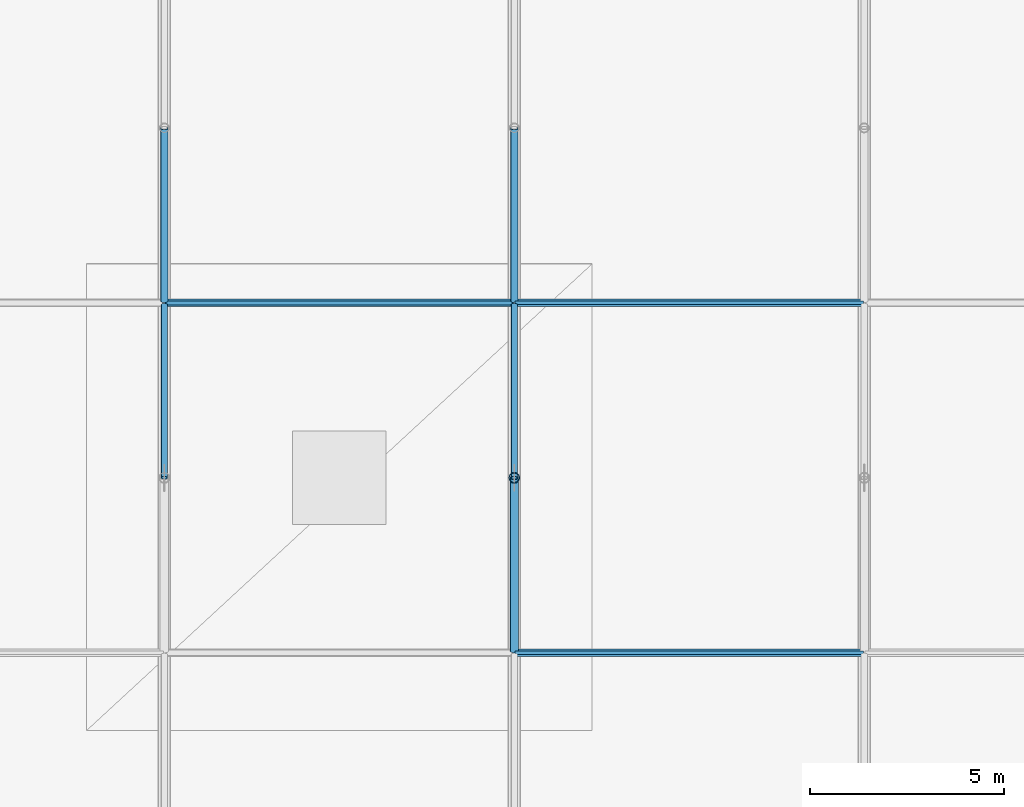
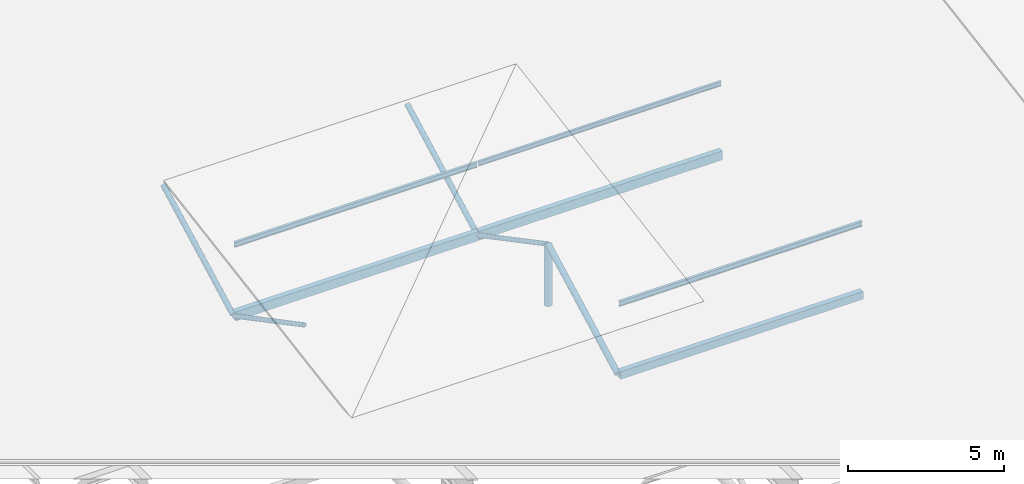
# One storey, part 66 of 196: 12 members.
"""IFC4 building model written with IfcOpenShell, lengths in metres."""

from ifc_helpers import new_model, si_unit, direction, frame, origin, origin_2d, place, context, subcontext, project, spatial, hollow_rectangle, hollow_circle, i_section, extrude, material, material_profile, profile_set, type_object, element, save


model = new_model("IFC4")

# Units and contexts
model_context = context("Model", 3, precision=1e-05, world=origin(), true_north=direction((0.0, 1.0)))
body_context = subcontext(model_context, "Body", "Model", "MODEL_VIEW")
ifc_project = project(units=[si_unit("LENGTHUNIT", "METRE"), si_unit("AREAUNIT", "SQUARE_METRE"), si_unit("VOLUMEUNIT", "CUBIC_METRE"), si_unit("PLANEANGLEUNIT", "RADIAN"), si_unit("MASSUNIT", "GRAM", prefix="KILO")], contexts=[model_context])

# Site, building, storey
site_placement = place(None, origin())
site = spatial("IfcSite", under=ifc_project, at=site_placement, CompositionType="ELEMENT")
building_placement = place(site_placement, origin())
building = spatial("IfcBuilding", under=site, at=building_placement, Name="Barlavento Convention Centre", CompositionType="ELEMENT")
storey_placement = place(building_placement, frame((0.0, 0.0, 18.0)))
storey = spatial("IfcBuildingStorey", under=building, at=storey_placement, Name="L03", CompositionType="ELEMENT", Elevation=18.0)

# Members
ifc_material = material(Name="Steel S355", Category="steel")
ifc_material_profile_1 = material_profile(ifc_material, hollow_rectangle(XDim=0.199951171875, YDim=0.300048828125, WallThickness=0.012451171875, at=origin_2d()), Name="RHS 300x200x12.5")
ifc_profile_set_1 = profile_set([ifc_material_profile_1], Name="Steel S355")
member_type_1 = type_object("IfcMemberType", Name="STR-MEM-COL-RHS300", PredefinedType="COLLAR", material=ifc_profile_set_1)
member_1_placement = place(storey_placement, frame((27.02001953125, 99.0, -3.199951171875), z_axis=(1.0, 0.0, 0.0), x_axis=(0.0, 1.0, 0.0)))
element("IfcMember", 1, at=member_1_placement, inside=storey, type_object=member_type_1, Name="Exhibition space frame transverse chord", PredefinedType="COLLAR", context=body_context, shape_type="SweptSolid", body=[
    extrude(hollow_rectangle(XDim=0.199951171875, YDim=0.300048828125, WallThickness=0.012451171875, at=origin_2d()), origin(), (0.0, 0.0, 1.0), 8.9599609375),
])
ifc_material_profile_2 = material_profile(ifc_material, hollow_rectangle(XDim=0.199951171875, YDim=0.35009765625, WallThickness=0.012451171875, at=origin_2d()), Name="RHS 350x200x12.5")
ifc_profile_set_2 = profile_set([ifc_material_profile_2], Name="Steel S355")
member_type_2 = type_object("IfcMemberType", Name="STR-MEM-COL-RHS350", PredefinedType="COLLAR", material=ifc_profile_set_2)
for number, where, z_axis, x_axis, name in (
    (2, (18.02001953125, 108.0, -3.199951171875), (1.0, 0.0, 0.0), (0.0, 1.0, 0.0), "Exhibition space frame transverse chord"),
    (3, (27.02001953125, 108.0, -3.199951171875), (1.0, 0.0, 0.0), (0.0, 1.0, 0.0), "Exhibition space frame transverse chord"),
):
    element("IfcMember", number, at=place(storey_placement, frame(where, z_axis=z_axis, x_axis=x_axis)), inside=storey, type_object=member_type_2, Name=name, PredefinedType="COLLAR", context=body_context, shape_type="SweptSolid", body=[
        extrude(hollow_rectangle(XDim=0.199951171875, YDim=0.35009765625, WallThickness=0.012451171875, at=origin_2d()), origin(), (0.0, 0.0, 1.0), 8.9599609375),
    ])
ifc_material_profile_3 = material_profile(ifc_material, hollow_circle(Radius=0.084228515625, WallThickness=0.010009765625, at=origin_2d()), Name="CHS 168.3x10.0")
ifc_profile_set_3 = profile_set([ifc_material_profile_3], Name="Steel S355")
member_type_3 = type_object("IfcMemberType", Name="STR-MEM-DIAG-CHS168", PredefinedType="POST", material=ifc_profile_set_3)
member_2_placement = place(storey_placement, frame((18.0, 103.5, -0.84912109375), z_axis=(0.0, 0.884200566707, -0.467107437144), x_axis=(-1.0, 0.0, 0.0)))
element("IfcMember", 4, at=member_2_placement, inside=storey, type_object=member_type_3, Name="Exhibition space frame web diagonal", PredefinedType="POST", context=body_context, shape_type="SweptSolid", body=[
    extrude(hollow_circle(Radius=0.084228515625, WallThickness=0.010009765625, at=origin_2d()), origin(), (0.0, 0.0, 1.0), 5.03271484375),
])
member_3_placement = place(storey_placement, frame((27.0, 103.5, -0.844970703125), z_axis=(0.0, 0.883859857229, -0.467751806816), x_axis=(-1.0, 0.0, 0.0)))
element("IfcMember", 5, at=member_3_placement, inside=storey, type_object=member_type_3, Name="Exhibition space frame web diagonal", PredefinedType="POST", context=body_context, shape_type="SweptSolid", body=[
    extrude(hollow_circle(Radius=0.084228515625, WallThickness=0.010009765625, at=origin_2d()), origin(), (0.0, 0.0, 1.0), 5.03466796875),
])
ifc_material_profile_4 = material_profile(ifc_material, hollow_circle(Radius=0.096923828125, WallThickness=0.010009765625, at=origin_2d()), Name="CHS 193.7x10.0")
ifc_profile_set_4 = profile_set([ifc_material_profile_4], Name="Steel S355")
member_type_4 = type_object("IfcMemberType", Name="STR-MEM-DIAG-CHS193", PredefinedType="RAFTER", material=ifc_profile_set_4)
member_4_placement = place(storey_placement, frame((18.0, 108.050048828125, -3.199951171875), z_axis=(0.0, 0.884200566707, 0.467107437144), x_axis=(-1.0, 0.0, 0.0)))
element("IfcMember", 6, at=member_4_placement, inside=storey, type_object=member_type_4, Name="Exhibition space frame web diagonal", PredefinedType="RAFTER", context=body_context, shape_type="SweptSolid", body=[
    extrude(hollow_circle(Radius=0.096923828125, WallThickness=0.010009765625, at=origin_2d()), origin(), (0.0, 0.0, 1.0), 5.03271484375),
])
member_5_placement = place(storey_placement, frame((27.0, 108.050048828125, -3.199951171875), z_axis=(0.0, 0.883859857229, 0.467751806816), x_axis=(-1.0, 0.0, 0.0)))
element("IfcMember", 7, at=member_5_placement, inside=storey, type_object=member_type_4, Name="Exhibition space frame web diagonal", PredefinedType="RAFTER", context=body_context, shape_type="SweptSolid", body=[
    extrude(hollow_circle(Radius=0.096923828125, WallThickness=0.010009765625, at=origin_2d()), origin(), (0.0, 0.0, 1.0), 5.03466796875),
])
ifc_material_profile_5 = material_profile(ifc_material, hollow_circle(Radius=0.109619140625, WallThickness=0.012451171875, at=origin_2d()), Name="CHS 219.1x12.5")
ifc_profile_set_5 = profile_set([ifc_material_profile_5], Name="Steel S355")
member_type_5 = type_object("IfcMemberType", Name="STR-MEM-DIAG-CHS219", PredefinedType="RAFTER", material=ifc_profile_set_5)
member_6_placement = place(storey_placement, frame((27.0, 99.050048828125, -3.199951171875), z_axis=(0.0, 0.883859857229, 0.467751806816), x_axis=(-1.0, 0.0, 0.0)))
element("IfcMember", 8, at=member_6_placement, inside=storey, type_object=member_type_5, Name="Exhibition space frame web diagonal", PredefinedType="RAFTER", context=body_context, shape_type="SweptSolid", body=[
    extrude(hollow_circle(Radius=0.109619140625, WallThickness=0.012451171875, at=origin_2d()), origin(), (0.0, 0.0, 1.0), 5.03466796875),
])
ifc_material_profile_6 = material_profile(ifc_material, i_section(OverallWidth=0.091064453125, OverallDepth=0.179931640625, WebThickness=0.00537109375, FlangeThickness=0.008056640625, FilletRadius=0.009033203125, at=origin_2d()), Name="IPE 180")
ifc_profile_set_6 = profile_set([ifc_material_profile_6], Name="Steel S355")
member_type_6 = type_object("IfcMemberType", Name="STR-MEM-PUR-IPE180", PredefinedType="PURLIN", material=ifc_profile_set_6)
member_7_placement = place(storey_placement, frame((27.02001953125, 108.0, -0.43505859375), z_axis=(1.0, 0.0, 0.0), x_axis=(0.0, 1.0, 0.0)))
element("IfcMember", 9, at=member_7_placement, inside=storey, type_object=member_type_6, Name="Exhibition roof purlin", PredefinedType="PURLIN", context=body_context, shape_type="SweptSolid", body=[
    extrude(i_section(OverallWidth=0.091064453125, OverallDepth=0.179931640625, WebThickness=0.00537109375, FlangeThickness=0.008056640625, FilletRadius=0.009033203125, at=origin_2d()), origin(), (0.0, 0.0, 1.0), 8.9599609375),
])
ifc_material_profile_7 = material_profile(ifc_material, i_section(OverallWidth=0.10009765625, OverallDepth=0.199951171875, WebThickness=0.005615234375, FlangeThickness=0.008544921875, FilletRadius=0.011962890625, at=origin_2d()), Name="IPE 200")
ifc_profile_set_7 = profile_set([ifc_material_profile_7], Name="Steel S355")
member_type_7 = type_object("IfcMemberType", Name="STR-MEM-PUR-IPE200", PredefinedType="PURLIN", material=ifc_profile_set_7)
for number, where, z_axis, x_axis, name in (
    (10, (27.02001953125, 99.0, -0.445068359375), (1.0, 0.0, 0.0), (0.0, 1.0, 0.0), "Exhibition roof purlin"),
    (11, (18.02001953125, 108.0, -0.445068359375), (1.0, 0.0, 0.0), (0.0, 1.0, 0.0), "Exhibition roof purlin"),
):
    element("IfcMember", number, at=place(storey_placement, frame(where, z_axis=z_axis, x_axis=x_axis)), inside=storey, type_object=member_type_7, Name=name, PredefinedType="PURLIN", context=body_context, shape_type="SweptSolid", body=[
        extrude(i_section(OverallWidth=0.10009765625, OverallDepth=0.199951171875, WebThickness=0.005615234375, FlangeThickness=0.008544921875, FilletRadius=0.011962890625, at=origin_2d()), origin(), (0.0, 0.0, 1.0), 8.9599609375),
    ])
ifc_material_profile_8 = material_profile(ifc_material, hollow_circle(Radius=0.136474609375, WallThickness=0.012451171875, at=origin_2d()), Name="CHS 273.0x12.5")
ifc_profile_set_8 = profile_set([ifc_material_profile_8], Name="Steel S355")
member_type_8 = type_object("IfcMemberType", Name="STR-MEM-STRUT-CHS273", PredefinedType="STRUT", material=ifc_profile_set_8)
member_8_placement = place(storey_placement, frame((27.0, 103.5, -3.199951171875), z_axis=(0.0, 0.0, 1.0), x_axis=(1.0, 0.0, 0.0)))
element("IfcMember", 12, at=member_8_placement, inside=storey, type_object=member_type_8, Name="Exhibition space frame vertical strut", PredefinedType="STRUT", context=body_context, shape_type="SweptSolid", body=[
    extrude(hollow_circle(Radius=0.136474609375, WallThickness=0.012451171875, at=origin_2d()), origin(), (0.0, 0.0, 1.0), 2.35498046875),
])

save(model, "model.ifc")
